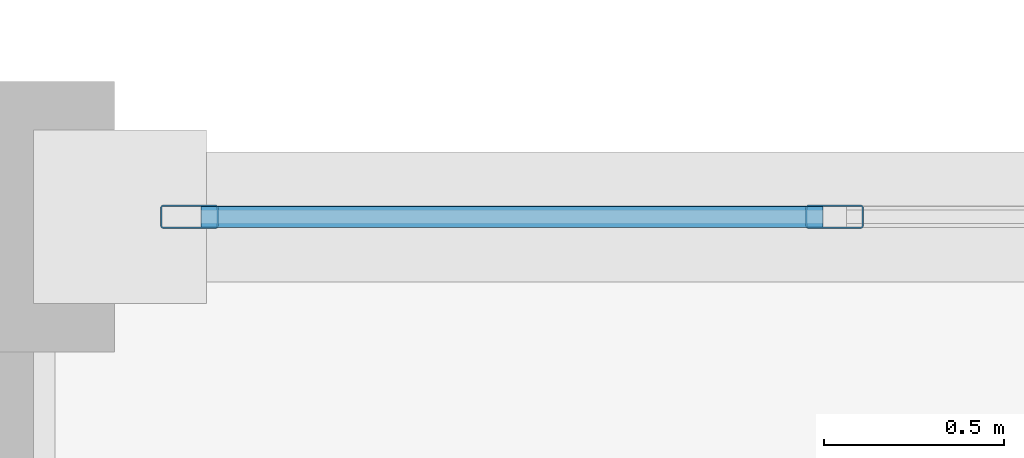
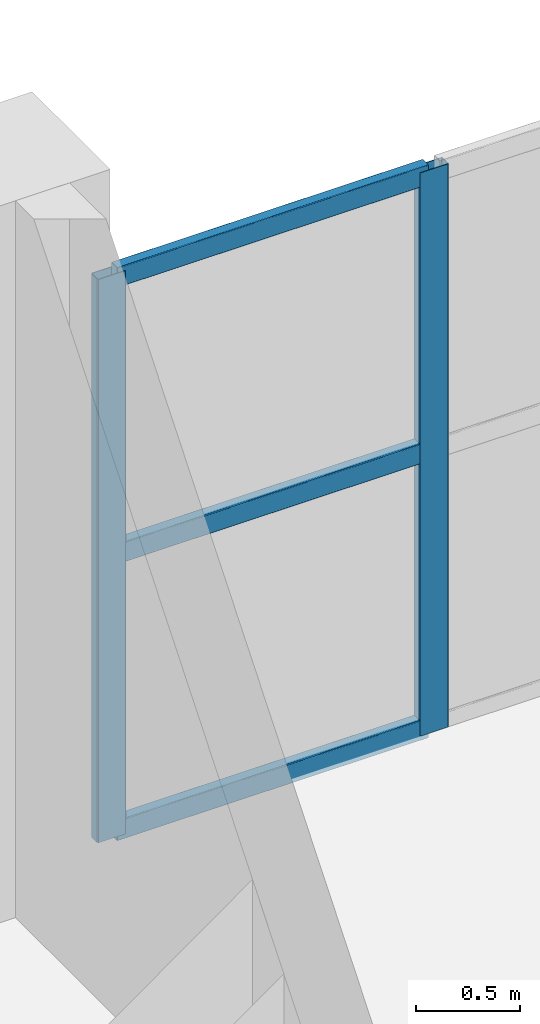
# One storey, part 87 of 157: 5 members, 1 element without a shape of its own.
"""IFC4 building model written with IfcOpenShell, lengths in metres."""

import ifcopenshell
import ifcopenshell.guid

model = None  # the IFC model being written
_history = None  # IfcOwnerHistory: only IFC2X3 demands one
_inside = {}  # id of a spatial element -> (the spatial element, [elements in it])
_under = {}  # id of a project, library or spatial element -> (it, [spatial elements below it])
_declared = {}  # id of a project -> (the project, [libraries it declares])
_typed = {}  # id of a type object -> (the type object, [elements of that type])
_made_of = {}  # id of a material, layer set ... -> (it, [elements and type objects made of it])


def new_model(schema):
    """Start an empty IFC model of exactly this schema.

    Asked for "IFC4X3", IfcOpenShell would pick the latest addendum, in which some entities
    have other attributes; the version numbers below select the first issue.
    IFC2X3 requires an IfcOwnerHistory on every rooted entity: one is made here for all.
    """
    global model, _history
    if schema == "IFC4X3":
        model = ifcopenshell.file(schema_version=(4, 3, 0, 0))
    else:
        model = ifcopenshell.file(schema=schema)
    _inside.clear()
    _under.clear()
    _declared.clear()
    _typed.clear()
    _made_of.clear()
    _history = None
    if model.schema == "IFC2X3":
        org = make("IfcOrganization", Name="unknown")
        user = make(
            "IfcPersonAndOrganization",
            ThePerson=make("IfcPerson", FamilyName="unknown"),
            TheOrganization=org,
        )
        app = make(
            "IfcApplication",
            ApplicationDeveloper=org,
            Version="unknown",
            ApplicationFullName="unknown",
            ApplicationIdentifier="unknown",
        )
        _history = make(
            "IfcOwnerHistory",
            OwningUser=user,
            OwningApplication=app,
            ChangeAction="ADDED",
            CreationDate=0,
        )
    return model


def make(cls, **values):
    """One entity of the class cls with the attributes given. An attribute that is None is left unset."""
    return model.create_entity(
        cls, **{name: value for name, value in values.items() if value is not None}
    )


def rooted(cls, **values):
    """An entity with a GlobalId (a new one), such as an element, a storey or a relation."""
    return make(cls, GlobalId=ifcopenshell.guid.new(), OwnerHistory=_history, **values)


def si_unit(unit_type, name, prefix=None):
    """IfcSIUnit, for example si_unit("LENGTHUNIT", "METRE", prefix="MILLI")."""
    return make("IfcSIUnit", UnitType=unit_type, Prefix=prefix, Name=name)


def assignment(units):
    """IfcUnitAssignment: the units of a project."""
    return None if units is None else make("IfcUnitAssignment", Units=units)


def point(xyz):
    """IfcCartesianPoint."""
    return None if xyz is None else make("IfcCartesianPoint", Coordinates=xyz)


def direction(xyz):
    """IfcDirection."""
    return None if xyz is None else make("IfcDirection", DirectionRatios=xyz)


def frame(location, z_axis=None, x_axis=None):
    """IfcAxis2Placement3D, a coordinate frame: its origin and axes. An axis left out is left unset."""
    return make(
        "IfcAxis2Placement3D",
        Location=point(location),
        Axis=direction(z_axis),
        RefDirection=direction(x_axis),
    )


def frame_2d(location, x_axis=None):
    """IfcAxis2Placement2D, a coordinate frame in the plane: its origin and x axis."""
    return make(
        "IfcAxis2Placement2D", Location=point(location), RefDirection=direction(x_axis)
    )


def origin():
    """The frame at (0, 0, 0) with its axes left unset."""
    return frame((0.0, 0.0, 0.0))


def origin_2d():
    """The frame at (0, 0) in the plane with its x axis left unset."""
    return frame_2d((0.0, 0.0))


def place(relative_to, where):
    """IfcLocalPlacement: puts the frame where relative to a parent placement (None: the world)."""
    return make(
        "IfcLocalPlacement", PlacementRelTo=relative_to, RelativePlacement=where
    )


def context(
    kind, dimensions, precision=None, world=None, true_north=None, identifier=None
):
    """IfcGeometricRepresentationContext, for example the 3D "Model" context."""
    return make(
        "IfcGeometricRepresentationContext",
        ContextIdentifier=identifier,
        ContextType=kind,
        CoordinateSpaceDimension=dimensions,
        Precision=precision,
        WorldCoordinateSystem=world,
        TrueNorth=true_north,
    )


def subcontext(parent, identifier, kind, view, scale=None):
    """IfcGeometricRepresentationSubContext, for example "Body" below "Model"."""
    return make(
        "IfcGeometricRepresentationSubContext",
        ContextIdentifier=identifier,
        ContextType=kind,
        ParentContext=parent,
        TargetScale=scale,
        TargetView=view,
    )


def project(units=None, contexts=None):
    """IfcProject with its units and contexts."""
    return rooted(
        "IfcProject",
        Name="project",
        RepresentationContexts=contexts,
        UnitsInContext=assignment(units),
    )


def spatial(cls, under=None, at=None, **own):
    """A site, building, storey or space (cls), placed at a placement, below another one or the project."""
    s = rooted(cls, ObjectPlacement=at, **own)
    if under is not None:
        _under.setdefault(under.id(), (under, []))[1].append(s)
    return s


def profile(cls, at=None, kind="AREA", **sizes):
    """A parametric profile (cls). Its sizes go by their IFC names, for example OverallWidth=200.0."""
    return make(cls, ProfileType=kind, Position=at, **sizes)


def hollow_rectangle(**sizes):
    """IfcRectangleHollowProfileDef."""
    return profile("IfcRectangleHollowProfileDef", **sizes)


def extrude(swept, where, along, depth):
    """IfcExtrudedAreaSolid: the profile swept, set in the frame where, extruded along a direction by depth."""
    return make(
        "IfcExtrudedAreaSolid",
        SweptArea=swept,
        Position=where,
        ExtrudedDirection=direction(along),
        Depth=depth,
    )


def shape(context_of_items, identifier, shape_type, items):
    """IfcShapeRepresentation: the items that make up one representation, for example the "Body"."""
    return make(
        "IfcShapeRepresentation",
        ContextOfItems=context_of_items,
        RepresentationIdentifier=identifier,
        RepresentationType=shape_type,
        Items=items,
    )


def material(Name=None, Category=None):
    """IfcMaterial."""
    return make("IfcMaterial", Name=Name, Category=Category)


def material_profile(
    of_material, cross_section, Name=None, Category=None, Priority=None
):
    """IfcMaterialProfile: a cross section and its material."""
    return make(
        "IfcMaterialProfile",
        Name=Name,
        Material=of_material,
        Profile=cross_section,
        Priority=Priority,
        Category=Category,
    )


def profile_set(profiles, Name=None, composite=None):
    """IfcMaterialProfileSet."""
    return make(
        "IfcMaterialProfileSet",
        Name=Name,
        MaterialProfiles=profiles,
        CompositeProfile=composite,
    )


def made_of(thing, what):
    """Note that an element or type object is made of a material, layer set ...; save() writes the relation."""
    if what is not None:
        _made_of.setdefault(what.id(), (what, []))[1].append(thing)
    return thing


def type_object(cls, material=None, **own):
    """A type object (cls), such as IfcWallType, which elements share."""
    return made_of(rooted(cls, **own), material)


def element(
    cls,
    number,
    at=None,
    inside=None,
    cuts=None,
    type_object=None,
    material=None,
    context=None,
    identifier="Body",
    shape_type=None,
    held_by="IfcProductDefinitionShape",
    body=None,
    shapes=None,
    **own,
):
    """One element of the class cls, such as IfcWall. Its Tag is "e" and its number.

    at: its placement. inside: the storey or other place that contains it. cuts: it is an
    opening in that element (IfcRelVoidsElement). A single representation is given by context,
    identifier, shape_type and body (its items); several are given by shapes. held_by: the class
    of the entity that holds the representations. save() writes the other relations.
    """
    e = rooted(cls, Tag="e%d" % number, ObjectPlacement=at, **own)
    if body is not None:
        shapes = [shape(context, identifier, shape_type, body)]
    if shapes is not None:
        e.Representation = make(held_by, Representations=shapes)
    if inside is not None:
        _inside.setdefault(inside.id(), (inside, []))[1].append(e)
    if cuts is not None:
        rooted(
            "IfcRelVoidsElement", RelatingBuildingElement=cuts, RelatedOpeningElement=e
        )
    if type_object is not None:
        _typed.setdefault(type_object.id(), (type_object, []))[1].append(e)
    return made_of(e, material)


def aggregate(whole, parts):
    """IfcRelAggregates: a whole, such as a stair, and the parts it consists of."""
    return rooted("IfcRelAggregates", RelatingObject=whole, RelatedObjects=parts)


def save(model, path):
    """Write the relations noted so far, then the file.

    IfcRelAggregates (storeys below a building ...), IfcRelContainedInSpatialStructure (elements
    in a storey), IfcRelDefinesByType, IfcRelAssociatesMaterial and IfcRelDeclares: one each for
    every whole, place, type object, material and project.
    """
    for whole, parts in _under.values():
        aggregate(whole, parts)
    for where, things in _inside.values():
        rooted(
            "IfcRelContainedInSpatialStructure",
            RelatedElements=things,
            RelatingStructure=where,
        )
    for kind, things in _typed.values():
        rooted("IfcRelDefinesByType", RelatedObjects=things, RelatingType=kind)
    for what, things in _made_of.values():
        rooted("IfcRelAssociatesMaterial", RelatedObjects=things, RelatingMaterial=what)
    for by, libraries in _declared.values():
        rooted("IfcRelDeclares", RelatingContext=by, RelatedDefinitions=libraries)
    model.write(path)


model = new_model("IFC4")

# Units and contexts
model_context = context("Model", 3, precision=1e-05, world=origin(), true_north=direction((0.0, 1.0)))
body_context = subcontext(model_context, "Body", "Model", "MODEL_VIEW")
ifc_project = project(units=[si_unit("LENGTHUNIT", "METRE"), si_unit("AREAUNIT", "SQUARE_METRE"), si_unit("VOLUMEUNIT", "CUBIC_METRE"), si_unit("PLANEANGLEUNIT", "RADIAN"), si_unit("MASSUNIT", "GRAM", prefix="KILO")], contexts=[model_context])

# Site, building, storey
site_placement = place(None, origin())
site = spatial("IfcSite", under=ifc_project, at=site_placement, CompositionType="ELEMENT")
building_placement = place(site_placement, origin())
building = spatial("IfcBuilding", under=site, at=building_placement, Name="Brelvane Convention Centre", CompositionType="ELEMENT")
storey_placement = place(building_placement, frame((0.0, 0.0, 10.800048828125)))
storey = spatial("IfcBuildingStorey", under=building, at=storey_placement, Name="L02", CompositionType="ELEMENT", Elevation=10.800048828125)

# Curtain wall, members
ifc_material_1 = material(Name="Anodised Aluminium Alloy 6063-T6", Category="aluminium")
curtain_wall_type = type_object("IfcCurtainWallType", Name="Curtain Wall CW-BOUL", PredefinedType="USERDEFINED", material=ifc_material_1)
curtain_wall_placement = place(storey_placement, origin())
curtain_wall = element("IfcCurtainWall", 1, at=curtain_wall_placement, inside=storey, type_object=curtain_wall_type, Name="Curtain Wall CW-BOUL L02-V4N-02", ObjectType="UNITISED", PredefinedType="USERDEFINED")
ifc_material_2 = material(Name="Anodised Aluminium Alloy 6063-T6", Category="aluminium")
ifc_material_profile_1 = material_profile(ifc_material_2, hollow_rectangle(XDim=0.06494140625, YDim=0.159912109375, WallThickness=0.00390625, InnerFilletRadius=0.00390625, OuterFilletRadius=0.008056640625, at=origin_2d()), Name="ALU-M 160x65x4.0")
ifc_profile_set_1 = profile_set([ifc_material_profile_1], Name="Anodised Aluminium Alloy 6063-T6")
member_type_1 = type_object("IfcMemberType", Name="Curtain Mullion CW-M3", PredefinedType="MULLION", material=ifc_profile_set_1)
member_1_placement = place(storey_placement, frame((10.782470703125, 144.0, 0.0), z_axis=(0.0, 0.0, 1.0), x_axis=(0.0, 1.0, 0.0)))
member_1 = element("IfcMember", 2, at=member_1_placement, type_object=member_type_1, Name="CW-BOUL mullion 1", PredefinedType="MULLION", context=body_context, shape_type="SweptSolid", body=[
    extrude(hollow_rectangle(XDim=0.06494140625, YDim=0.159912109375, WallThickness=0.00390625, InnerFilletRadius=0.00390625, OuterFilletRadius=0.008056640625, at=origin_2d()), origin(), (0.0, 0.0, 1.0), 3.300048828125),
])
member_2_placement = place(storey_placement, frame((12.570068359375, 144.0, 0.0), z_axis=(0.0, 0.0, 1.0), x_axis=(0.0, 1.0, 0.0)))
member_2 = element("IfcMember", 3, at=member_2_placement, type_object=member_type_1, Name="CW-BOUL mullion 2", PredefinedType="MULLION", context=body_context, shape_type="SweptSolid", body=[
    extrude(hollow_rectangle(XDim=0.06494140625, YDim=0.159912109375, WallThickness=0.00390625, InnerFilletRadius=0.00390625, OuterFilletRadius=0.008056640625, at=origin_2d()), origin(), (0.0, 0.0, 1.0), 3.300048828125),
])
ifc_material_3 = material(Name="Anodised Aluminium Alloy 6063-T6", Category="aluminium")
ifc_material_profile_2 = material_profile(ifc_material_3, hollow_rectangle(XDim=0.06005859375, YDim=0.1201171875, WallThickness=0.00390625, InnerFilletRadius=0.00390625, OuterFilletRadius=0.008056640625, at=origin_2d()), Name="ALU-T 120x60x4.0")
ifc_profile_set_2 = profile_set([ifc_material_profile_2], Name="Anodised Aluminium Alloy 6063-T6")
member_type_2 = type_object("IfcMemberType", Name="Curtain Transom CW-T3", PredefinedType="USERDEFINED", material=ifc_profile_set_2)
member_3_placement = place(storey_placement, frame((10.81494140625, 144.0, 0.030029296875), z_axis=(1.0, 0.0, 0.0), x_axis=(0.0, 1.0, 0.0)))
member_3 = element("IfcMember", 4, at=member_3_placement, type_object=member_type_2, Name="CW-BOUL transom 1.1", ObjectType="TRANSOM", PredefinedType="USERDEFINED", context=body_context, shape_type="SweptSolid", body=[
    extrude(hollow_rectangle(XDim=0.06005859375, YDim=0.1201171875, WallThickness=0.00390625, InnerFilletRadius=0.00390625, OuterFilletRadius=0.008056640625, at=origin_2d()), origin(), (0.0, 0.0, 1.0), 1.72265625),
])
member_4_placement = place(storey_placement, frame((10.81494140625, 144.0, 1.64990234375), z_axis=(1.0, 0.0, 0.0), x_axis=(0.0, 1.0, 0.0)))
member_4 = element("IfcMember", 5, at=member_4_placement, type_object=member_type_2, Name="CW-BOUL transom 1.2", ObjectType="TRANSOM", PredefinedType="USERDEFINED", context=body_context, shape_type="SweptSolid", body=[
    extrude(hollow_rectangle(XDim=0.06005859375, YDim=0.1201171875, WallThickness=0.00390625, InnerFilletRadius=0.00390625, OuterFilletRadius=0.008056640625, at=origin_2d()), origin(), (0.0, 0.0, 1.0), 1.72265625),
])
member_5_placement = place(storey_placement, frame((10.81494140625, 144.0, 3.27001953125), z_axis=(1.0, 0.0, 0.0), x_axis=(0.0, 1.0, 0.0)))
member_5 = element("IfcMember", 6, at=member_5_placement, type_object=member_type_2, Name="CW-BOUL transom 1.3", ObjectType="TRANSOM", PredefinedType="USERDEFINED", context=body_context, shape_type="SweptSolid", body=[
    extrude(hollow_rectangle(XDim=0.06005859375, YDim=0.1201171875, WallThickness=0.00390625, InnerFilletRadius=0.00390625, OuterFilletRadius=0.008056640625, at=origin_2d()), origin(), (0.0, 0.0, 1.0), 1.72265625),
])
aggregate(curtain_wall, [member_1, member_2, member_3, member_4, member_5])

save(model, "model.ifc")
